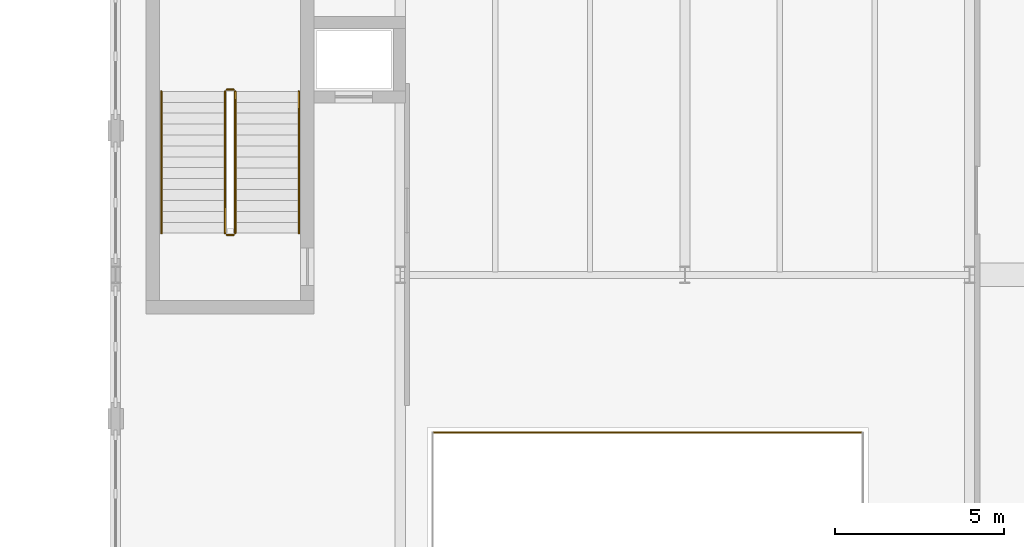
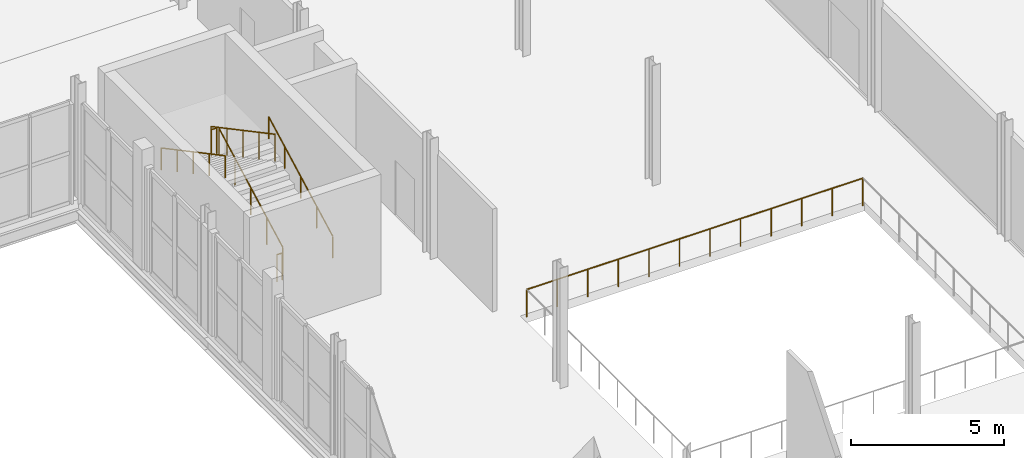
# One storey, part 61 of 63: 7 railings.
"""IFC4 building model written with IfcOpenShell, lengths in metres."""

from ifc_helpers import new_model, si_unit, direction, frame, origin, origin_2d, place, context, subcontext, project, spatial, circle, extrude, material, type_object, element, save


model = new_model("IFC4")

# Units and contexts
model_context = context("Model", 3, precision=1e-05, world=origin(), true_north=direction((0.0, 1.0)))
body_context = subcontext(model_context, "Body", "Model", "MODEL_VIEW")
ifc_project = project(units=[si_unit("LENGTHUNIT", "METRE"), si_unit("AREAUNIT", "SQUARE_METRE"), si_unit("VOLUMEUNIT", "CUBIC_METRE"), si_unit("PLANEANGLEUNIT", "RADIAN"), si_unit("MASSUNIT", "GRAM", prefix="KILO")], contexts=[model_context])

# Site, building, storey
site_placement = place(None, origin())
site = spatial("IfcSite", under=ifc_project, at=site_placement, CompositionType="ELEMENT")
building_placement = place(site_placement, origin())
building = spatial("IfcBuilding", under=site, at=building_placement, Name="Sefraquen Railside Congress Hotel", CompositionType="ELEMENT")
storey_placement = place(building_placement, frame((0.0, 0.0, 11.39990234375)))
storey = spatial("IfcBuildingStorey", under=building, at=storey_placement, Name="L02", CompositionType="ELEMENT", Elevation=11.39990234375)

# Railings
ifc_material = material(Name="Patinated wrought architectural bronze", Category="metal")
railing_type_1 = type_object("IfcRailingType", Name="TRL-BAL-110", PredefinedType="BALUSTRADE", material=ifc_material)
railing_1_placement = place(storey_placement, frame((125.25, 74.85009765625, 0.0)))
element("IfcRailing", 1, at=railing_1_placement, inside=storey, type_object=railing_type_1, Name="Covered Public Passage atrium void guard L02", PredefinedType="BALUSTRADE", context=body_context, shape_type="SweptSolid", body=[
    extrude(circle(Radius=0.02392578125, at=origin_2d()), frame((0.0, 0.0, 1.09619140625), z_axis=(-1.0, 0.0, 0.0), x_axis=(0.0, -1.0, 0.0)), (0.0, 0.0, 1.0), 12.699951171875),
    extrude(circle(Radius=0.02099609375, at=origin_2d()), origin(), (0.0, 0.0, 1.0), 1.072021484375),
    extrude(circle(Radius=0.02099609375, at=origin_2d()), frame((-1.154541015625, 0.0, 0.0)), (0.0, 0.0, 1.0), 1.072021484375),
    extrude(circle(Radius=0.02099609375, at=origin_2d()), frame((-2.30908203125, 0.0, 0.0)), (0.0, 0.0, 1.0), 1.072021484375),
    extrude(circle(Radius=0.02099609375, at=origin_2d()), frame((-3.463623046875, 0.0, 0.0)), (0.0, 0.0, 1.0), 1.072021484375),
    extrude(circle(Radius=0.02099609375, at=origin_2d()), frame((-4.6181640625, 0.0, 0.0)), (0.0, 0.0, 1.0), 1.072021484375),
    extrude(circle(Radius=0.02099609375, at=origin_2d()), frame((-5.772705078125, 0.0, 0.0)), (0.0, 0.0, 1.0), 1.072021484375),
    extrude(circle(Radius=0.02099609375, at=origin_2d()), frame((-6.92724609375, 0.0, 0.0)), (0.0, 0.0, 1.0), 1.072021484375),
    extrude(circle(Radius=0.02099609375, at=origin_2d()), frame((-8.081787109375, 0.0, 0.0)), (0.0, 0.0, 1.0), 1.072021484375),
    extrude(circle(Radius=0.02099609375, at=origin_2d()), frame((-9.236328125, 0.0, 0.0)), (0.0, 0.0, 1.0), 1.072021484375),
    extrude(circle(Radius=0.02099609375, at=origin_2d()), frame((-10.390869140625, 0.0, 0.0)), (0.0, 0.0, 1.0), 1.072021484375),
    extrude(circle(Radius=0.02099609375, at=origin_2d()), frame((-11.54541015625, 0.0, 0.0)), (0.0, 0.0, 1.0), 1.072021484375),
    extrude(circle(Radius=0.02099609375, at=origin_2d()), frame((-12.699951171875, 0.0, 0.0)), (0.0, 0.0, 1.0), 1.072021484375),
])
railing_2_placement = place(storey_placement, frame((106.72998046875, 80.72998046875, 0.171630859375)))
element("IfcRailing", 2, at=railing_2_placement, inside=storey, type_object=railing_type_1, Name="L02 ST-M01 stair guard 1", PredefinedType="BALUSTRADE", context=body_context, shape_type="SweptSolid", body=[
    extrude(circle(Radius=0.02392578125, at=origin_2d()), frame((0.0, 0.0, 1.076171875), z_axis=(0.0, 0.882706117232, 0.469925430893), x_axis=(-1.0, 0.0, 0.0)), (0.0, 0.0, 1.0), 4.7421875),
    extrude(circle(Radius=0.02099609375, at=origin_2d()), origin(), (0.0, 0.0, 1.0), 1.052001953125),
    extrude(circle(Radius=0.02099609375, at=origin_2d()), frame((0.0, 1.04638671875, 0.55712890625)), (0.0, 0.0, 1.0), 1.052001953125),
    extrude(circle(Radius=0.02099609375, at=origin_2d()), frame((0.0, 2.093017578125, 1.1142578125)), (0.0, 0.0, 1.0), 1.052001953125),
    extrude(circle(Radius=0.02099609375, at=origin_2d()), frame((0.0, 3.1396484375, 1.67138671875)), (0.0, 0.0, 1.0), 1.052001953125),
    extrude(circle(Radius=0.02099609375, at=origin_2d()), frame((0.0, 4.18603515625, 2.228515625)), (0.0, 0.0, 1.0), 1.052001953125),
])
railing_3_placement = place(storey_placement, frame((106.679931640625, 84.966064453125, 2.400146484375)))
element("IfcRailing", 3, at=railing_3_placement, inside=storey, type_object=railing_type_1, Name="L02 ST-M01 stair guard 2", PredefinedType="BALUSTRADE", context=body_context, shape_type="SweptSolid", body=[
    extrude(circle(Radius=0.02392578125, at=origin_2d()), frame((0.0, 0.0, 1.076171875), z_axis=(-1.0, 0.0, 0.0), x_axis=(0.0, -1.0, 0.0)), (0.0, 0.0, 1.0), 0.199951171875),
    extrude(circle(Radius=0.02099609375, at=origin_2d()), origin(), (0.0, 0.0, 1.0), 1.052001953125),
    extrude(circle(Radius=0.02099609375, at=origin_2d()), frame((-0.199951171875, 0.0, 0.0)), (0.0, 0.0, 1.0), 1.052001953125),
])
railing_4_placement = place(storey_placement, frame((106.429931640625, 84.916015625, 2.571533203125)))
element("IfcRailing", 4, at=railing_4_placement, inside=storey, type_object=railing_type_1, Name="L02 ST-M01 stair guard 3", PredefinedType="BALUSTRADE", context=body_context, shape_type="SweptSolid", body=[
    extrude(circle(Radius=0.02392578125, at=origin_2d()), frame((0.0, 0.0, 1.076171875), z_axis=(0.0, -0.882706117232, 0.469925430893), x_axis=(1.0, 0.0, 0.0)), (0.0, 0.0, 1.0), 4.7421875),
    extrude(circle(Radius=0.02099609375, at=origin_2d()), origin(), (0.0, 0.0, 1.0), 1.052001953125),
    extrude(circle(Radius=0.02099609375, at=origin_2d()), frame((0.0, -1.04638671875, 0.55712890625)), (0.0, 0.0, 1.0), 1.052001953125),
    extrude(circle(Radius=0.02099609375, at=origin_2d()), frame((0.0, -2.093017578125, 1.1142578125)), (0.0, 0.0, 1.0), 1.052001953125),
    extrude(circle(Radius=0.02099609375, at=origin_2d()), frame((0.0, -3.1396484375, 1.67138671875)), (0.0, 0.0, 1.0), 1.052001953125),
    extrude(circle(Radius=0.02099609375, at=origin_2d()), frame((0.0, -4.18603515625, 2.228515625)), (0.0, 0.0, 1.0), 1.052001953125),
])
railing_5_placement = place(storey_placement, frame((106.679931640625, 80.679931640625, 0.0)))
element("IfcRailing", 5, at=railing_5_placement, inside=storey, type_object=railing_type_1, Name="L02 ST-M01 stair guard 4", PredefinedType="BALUSTRADE", context=body_context, shape_type="SweptSolid", body=[
    extrude(circle(Radius=0.02392578125, at=origin_2d()), frame((0.0, 0.0, 1.076171875), z_axis=(-1.0, 0.0, 0.0), x_axis=(0.0, -1.0, 0.0)), (0.0, 0.0, 1.0), 0.199951171875),
    extrude(circle(Radius=0.02099609375, at=origin_2d()), origin(), (0.0, 0.0, 1.0), 1.052001953125),
    extrude(circle(Radius=0.02099609375, at=origin_2d()), frame((-0.199951171875, 0.0, 0.0)), (0.0, 0.0, 1.0), 1.052001953125),
])
railing_type_2 = type_object("IfcRailingType", Name="TRL-HR-090", PredefinedType="HANDRAIL", material=ifc_material)
railing_6_placement = place(storey_placement, frame((108.610107421875, 80.72998046875, 0.171630859375)))
element("IfcRailing", 6, at=railing_6_placement, inside=storey, type_object=railing_type_2, Name="L02 ST-M01 stair handrail 1", PredefinedType="HANDRAIL", context=body_context, shape_type="SweptSolid", body=[
    extrude(circle(Radius=0.02392578125, at=origin_2d()), frame((0.0, 0.0, 0.8759765625), z_axis=(0.0, 0.882706117232, 0.469925430893), x_axis=(-1.0, 0.0, 0.0)), (0.0, 0.0, 1.0), 4.7421875),
    extrude(circle(Radius=0.02099609375, at=origin_2d()), origin(), (0.0, 0.0, 1.0), 0.851806640625),
    extrude(circle(Radius=0.02099609375, at=origin_2d()), frame((0.0, 1.04638671875, 0.55712890625)), (0.0, 0.0, 1.0), 0.851806640625),
    extrude(circle(Radius=0.02099609375, at=origin_2d()), frame((0.0, 2.093017578125, 1.1142578125)), (0.0, 0.0, 1.0), 0.851806640625),
    extrude(circle(Radius=0.02099609375, at=origin_2d()), frame((0.0, 3.1396484375, 1.67138671875)), (0.0, 0.0, 1.0), 0.851806640625),
    extrude(circle(Radius=0.02099609375, at=origin_2d()), frame((0.0, 4.18603515625, 2.228515625)), (0.0, 0.0, 1.0), 0.851806640625),
])
railing_7_placement = place(storey_placement, frame((104.550048828125, 84.916015625, 2.571533203125)))
element("IfcRailing", 7, at=railing_7_placement, inside=storey, type_object=railing_type_2, Name="L02 ST-M01 stair handrail 2", PredefinedType="HANDRAIL", context=body_context, shape_type="SweptSolid", body=[
    extrude(circle(Radius=0.02392578125, at=origin_2d()), frame((0.0, 0.0, 0.8759765625), z_axis=(0.0, -0.882706117232, 0.469925430893), x_axis=(1.0, 0.0, 0.0)), (0.0, 0.0, 1.0), 4.7421875),
    extrude(circle(Radius=0.02099609375, at=origin_2d()), origin(), (0.0, 0.0, 1.0), 0.851806640625),
    extrude(circle(Radius=0.02099609375, at=origin_2d()), frame((0.0, -1.04638671875, 0.55712890625)), (0.0, 0.0, 1.0), 0.851806640625),
    extrude(circle(Radius=0.02099609375, at=origin_2d()), frame((0.0, -2.093017578125, 1.1142578125)), (0.0, 0.0, 1.0), 0.851806640625),
    extrude(circle(Radius=0.02099609375, at=origin_2d()), frame((0.0, -3.1396484375, 1.67138671875)), (0.0, 0.0, 1.0), 0.851806640625),
    extrude(circle(Radius=0.02099609375, at=origin_2d()), frame((0.0, -4.18603515625, 2.228515625)), (0.0, 0.0, 1.0), 0.851806640625),
])

save(model, "model.ifc")
